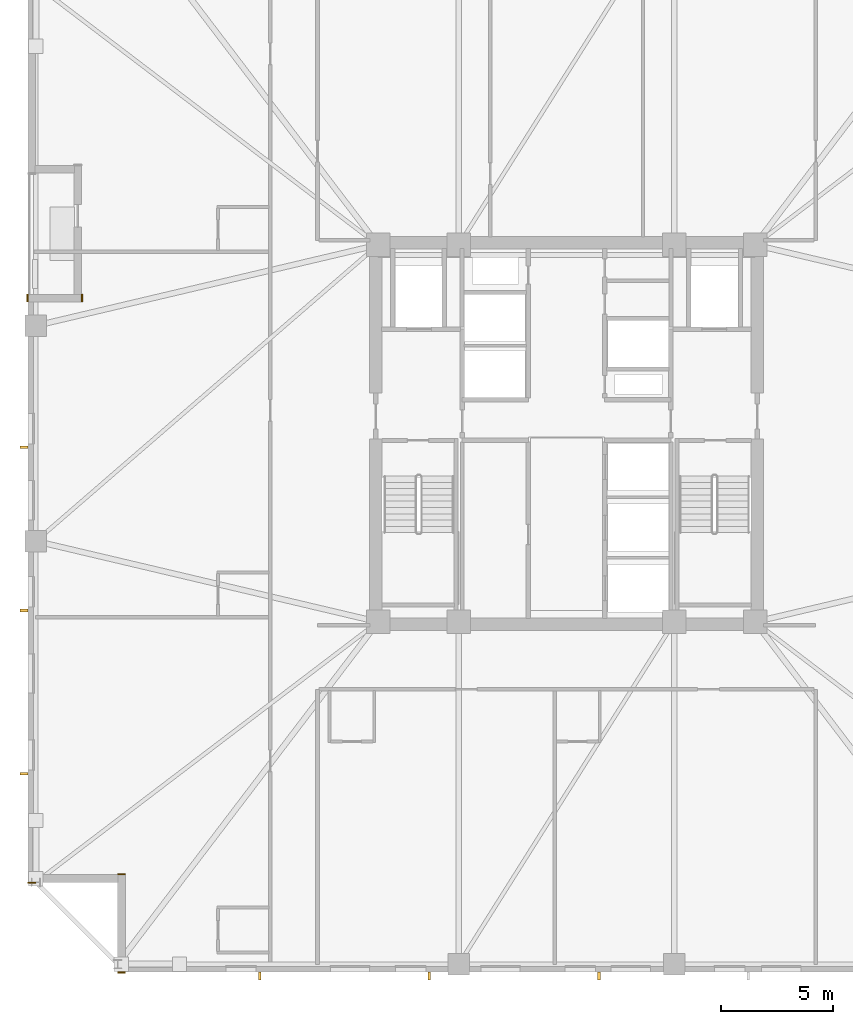
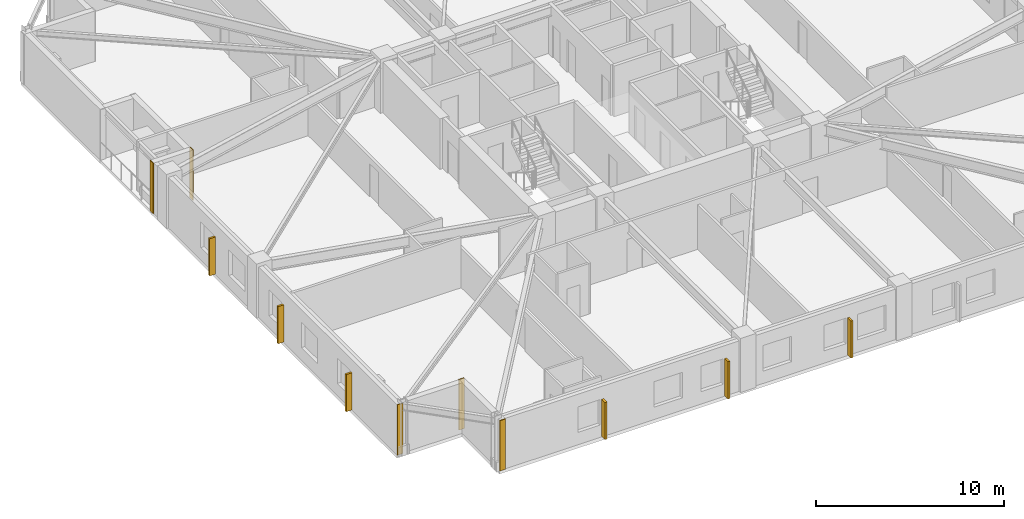
# One storey, part 6 of 10: 6 shading devices, 5 coverings.
"""IFC4 building model written with IfcOpenShell, lengths in metres."""

from ifc_helpers import new_model, si_unit, direction, frame, frame_2d, origin, origin_2d, place, context, subcontext, project, spatial, rectangle, extrude, material, layer, layer_set, type_object, element, save


model = new_model("IFC4")

# Units and contexts
model_context = context("Model", 3, precision=1e-05, world=origin(), true_north=direction((0.0, 1.0)))
body_context = subcontext(model_context, "Body", "Model", "MODEL_VIEW")
ifc_project = project(units=[si_unit("LENGTHUNIT", "METRE"), si_unit("AREAUNIT", "SQUARE_METRE"), si_unit("VOLUMEUNIT", "CUBIC_METRE"), si_unit("PLANEANGLEUNIT", "RADIAN"), si_unit("MASSUNIT", "GRAM", prefix="KILO")], contexts=[model_context])

# Site, building, storey
site_placement = place(None, origin())
site = spatial("IfcSite", under=ifc_project, at=site_placement, CompositionType="ELEMENT")
building_placement = place(site_placement, origin())
building = spatial("IfcBuilding", under=site, at=building_placement, Name="Cairnveth Concourse Tower", CompositionType="ELEMENT")
storey_placement = place(building_placement, frame((0.0, 0.0, 113.0)))
storey = spatial("IfcBuildingStorey", under=building, at=storey_placement, Name="L30", CompositionType="ELEMENT", Elevation=113.0)

# Coverings
ifc_material_1 = material(Name="Dressed Melbourne Bluestone Cladding", Category="masonry")
ifc_layer = layer(ifc_material_1, 0.050048828125)
ifc_layer_set = layer_set([ifc_layer], Name="Dressed Melbourne Bluestone Cladding")
covering_type = type_object("IfcCoveringType", Name="DRESSED BLUESTONE PLINTH CLADDING 50", PredefinedType="CLADDING", material=ifc_layer_set)
for number, where, z_axis, x_axis, name in (
    (1, (32.340087890625, 14.97998046875, 0.0), (0.0, 0.0, 1.0), (-1.0, 0.0, 0.0), "Melbourne Bluestone Corner Quoin L30-429"),
    (2, (32.340087890625, 19.360107421875, 0.0), (0.0, 0.0, 1.0), (-1.0, 0.0, 0.0), "Melbourne Bluestone Corner Quoin L30-430"),
    (3, (28.340087890625, 18.97998046875, 0.0), (0.0, 0.0, 1.0), (-1.0, 0.0, 0.0), "Melbourne Bluestone Corner Quoin L30-431"),
):
    element("IfcCovering", number, at=place(storey_placement, frame(where, z_axis=z_axis, x_axis=x_axis)), inside=storey, type_object=covering_type, Name=name, PredefinedType="CLADDING", context=body_context, shape_type="SweptSolid", body=[
        extrude(rectangle(XDim=0.340087890625, YDim=0.050048828125, at=frame_2d((0.169921875, 0.0))), origin(), (0.0, 0.0, 1.0), 3.280029296875),
    ])
for number, where, z_axis, x_axis, name in (
    (4, (27.97998046875, 44.860107421875, 0.0), (0.0, 0.0, 1.0), (0.0, 1.0, 0.0), "Melbourne Bluestone Corner Quoin L30-432"),
    (5, (30.409912109375, 44.860107421875, 0.0), (0.0, 0.0, 1.0), (0.0, 1.0, 0.0), "Melbourne Bluestone Corner Quoin L30-433"),
):
    element("IfcCovering", number, at=place(storey_placement, frame(where, z_axis=z_axis, x_axis=x_axis)), inside=storey, type_object=covering_type, Name=name, PredefinedType="CLADDING", context=body_context, shape_type="SweptSolid", body=[
        extrude(rectangle(XDim=0.33984375, YDim=0.050048828125, at=frame_2d((0.169921875, 0.0))), origin(), (0.0, 0.0, 1.0), 3.280029296875),
    ])

# Shading devices
ifc_material_2 = material(Name="Architectural Bronze Anodised Aluminium 6063-T6", Category="aluminium")
shading_device_type = type_object("IfcShadingDeviceType", Name="GOTHIC BRONZE VERTICAL LANCET FIN", PredefinedType="USERDEFINED", material=ifc_material_2)
for number, where, z_axis, x_axis, name in (
    (6, (53.444091796875, 14.824951171875, 0.030029296875), (0.0, 0.0, 1.0), (1.0, 0.0, 0.0), "Gothic Bronze Vertical Fin L30-9-5"),
    (7, (45.886962890625, 14.824951171875, 0.030029296875), (0.0, 0.0, 1.0), (1.0, 0.0, 0.0), "Gothic Bronze Vertical Fin L30-9-7"),
    (8, (38.329833984375, 14.824951171875, 0.030029296875), (0.0, 0.0, 1.0), (1.0, 0.0, 0.0), "Gothic Bronze Vertical Fin L30-9-9"),
    (9, (27.824951171875, 23.833251953125, 0.030029296875), (0.0, 0.0, 1.0), (0.0, 1.0, 0.0), "Gothic Bronze Vertical Fin L30-12-1"),
    (10, (27.824951171875, 31.10595703125, 0.030029296875), (0.0, 0.0, 1.0), (0.0, 1.0, 0.0), "Gothic Bronze Vertical Fin L30-12-3"),
    (11, (27.824951171875, 38.37890625, 0.030029296875), (0.0, 0.0, 1.0), (0.0, 1.0, 0.0), "Gothic Bronze Vertical Fin L30-12-5"),
):
    element("IfcShadingDevice", number, at=place(storey_placement, frame(where, z_axis=z_axis, x_axis=x_axis)), inside=storey, type_object=shading_device_type, Name=name, ObjectType="VERTICAL FIN", PredefinedType="USERDEFINED", context=body_context, shape_type="SweptSolid", body=[
        extrude(rectangle(XDim=0.1201171875, YDim=0.360107421875, at=origin_2d()), origin(), (0.0, 0.0, 1.0), 2.419921875),
    ])

save(model, "model.ifc")
